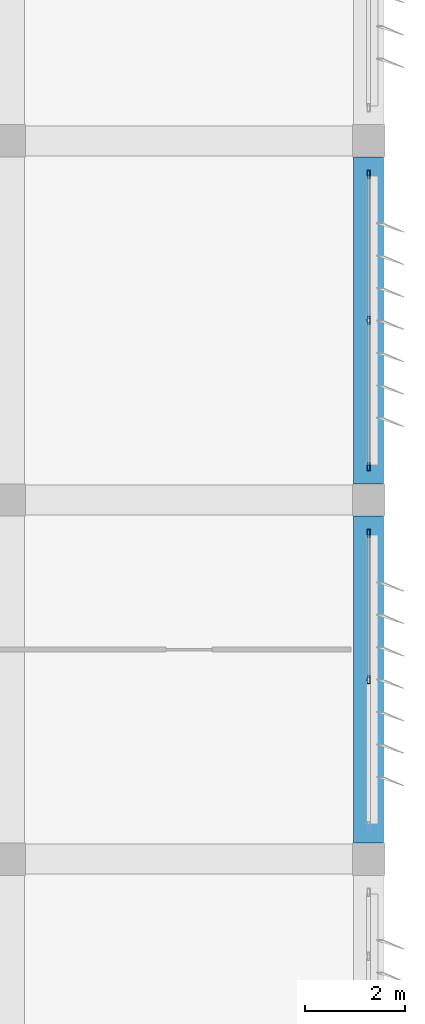
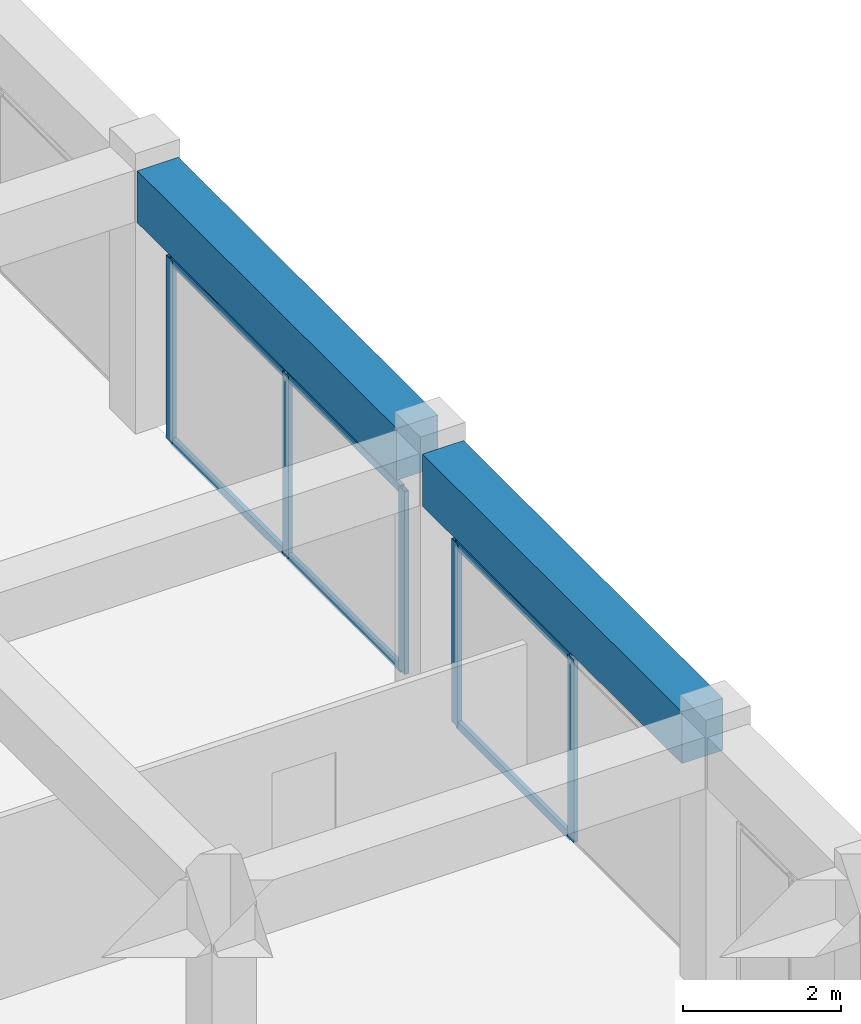
# One storey, part 29 of 53: 11 members, 2 beams, 2 elements without a shape of their own.
"""IFC4 building model written with IfcOpenShell, lengths in metres."""

from ifc_helpers import new_model, si_unit, direction, frame, origin, origin_2d, place, context, subcontext, project, spatial, rectangle, hollow_rectangle, extrude, material, material_profile, profile_set, type_object, element, aggregate, save


model = new_model("IFC4")

# Units and contexts
model_context = context("Model", 3, precision=1e-05, world=origin(), true_north=direction((0.0, 1.0)))
body_context = subcontext(model_context, "Body", "Model", "MODEL_VIEW")
ifc_project = project(units=[si_unit("LENGTHUNIT", "METRE"), si_unit("AREAUNIT", "SQUARE_METRE"), si_unit("VOLUMEUNIT", "CUBIC_METRE"), si_unit("PLANEANGLEUNIT", "RADIAN"), si_unit("MASSUNIT", "GRAM", prefix="KILO")], contexts=[model_context])

# Site, building, storey
site_placement = place(None, origin())
site = spatial("IfcSite", under=ifc_project, at=site_placement, CompositionType="ELEMENT")
building_placement = place(site_placement, origin())
building = spatial("IfcBuilding", under=site, at=building_placement, Name="Kazehaya Institute of Natural Sciences", CompositionType="ELEMENT")
storey_placement = place(building_placement, frame((0.0, 0.0, 33.300048828125)))
storey = spatial("IfcBuildingStorey", under=building, at=storey_placement, Name="L07", CompositionType="ELEMENT", Elevation=33.300048828125)

# Beams
ifc_material_1 = material(Name="Concrete Fc36", Category="concrete")
ifc_material_profile_1 = material_profile(ifc_material_1, rectangle(XDim=0.60009765625, YDim=0.800048828125, at=origin_2d()), Name="RC-600x800")
ifc_profile_set_1 = profile_set([ifc_material_profile_1], Name="Concrete Fc36")
beam_type = type_object("IfcBeamType", Name="BM-G-600x800", PredefinedType="BEAM", material=ifc_profile_set_1)
for number, where, z_axis, x_axis, name in (
    (1, (119.39990234375, 14.324951171875, 3.64990234375), (0.0, 1.0, 0.0), (-1.0, 0.0, 0.0), "L07 primary Y girder BMY-L07-1194-140"),
    (2, (119.39990234375, 21.52490234375, 3.64990234375), (0.0, 1.0, 0.0), (-1.0, 0.0, 0.0), "L07 primary Y girder BMY-L07-1194-212"),
):
    element("IfcBeam", number, at=place(storey_placement, frame(where, z_axis=z_axis, x_axis=x_axis)), inside=storey, type_object=beam_type, Name=name, PredefinedType="BEAM", context=body_context, shape_type="SweptSolid", body=[
        extrude(rectangle(XDim=0.60009765625, YDim=0.800048828125, at=origin_2d()), origin(), (0.0, 0.0, 1.0), 6.550048828125),
    ])

# Curtain wall, members
ifc_material_2 = material(Name="Aluminium alloy A6063S-T5", Category="aluminium")
curtain_wall_type = type_object("IfcCurtainWallType", Name="CW-SYS-10", PredefinedType="NOTDEFINED", material=ifc_material_2)
curtain_wall_1_placement = place(storey_placement, origin())
curtain_wall_1 = element("IfcCurtainWall", 3, at=curtain_wall_1_placement, inside=storey, type_object=curtain_wall_type, Name="L07 unitised curtain wall CW-L07-171", PredefinedType="NOTDEFINED")
ifc_material_profile_2 = material_profile(ifc_material_2, hollow_rectangle(XDim=0.06005859375, YDim=0.159912109375, WallThickness=0.00390625, at=origin_2d()), Name="ALU-60x160x4")
ifc_profile_set_2 = profile_set([ifc_material_profile_2], Name="Aluminium alloy A6063S-T5")
member_type_1 = type_object("IfcMemberType", Name="CWM-160", PredefinedType="MULLION", material=ifc_profile_set_2)
member_1_placement = place(storey_placement, frame((119.39990234375, 20.530029296875, 0.0), z_axis=(0.0, 0.0, 1.0), x_axis=(1.0, 0.0, 0.0)))
member_1 = element("IfcMember", 4, at=member_1_placement, type_object=member_type_1, Name="CW10 mullion 1", PredefinedType="MULLION", context=body_context, shape_type="SweptSolid", body=[
    extrude(hollow_rectangle(XDim=0.06005859375, YDim=0.159912109375, WallThickness=0.00390625, at=origin_2d()), origin(), (0.0, 0.0, 1.0), 2.820068359375),
])
member_2_placement = place(storey_placement, frame((119.39990234375, 17.60009765625, 0.0), z_axis=(0.0, 0.0, 1.0), x_axis=(1.0, 0.0, 0.0)))
member_2 = element("IfcMember", 5, at=member_2_placement, type_object=member_type_1, Name="CW10 mullion 2", PredefinedType="MULLION", context=body_context, shape_type="SweptSolid", body=[
    extrude(hollow_rectangle(XDim=0.06005859375, YDim=0.159912109375, WallThickness=0.00390625, at=origin_2d()), origin(), (0.0, 0.0, 1.0), 2.820068359375),
])

curtain_wall_2_placement = place(storey_placement, origin())
curtain_wall_2 = element("IfcCurtainWall", 6, at=curtain_wall_2_placement, inside=storey, type_object=curtain_wall_type, Name="L07 unitised curtain wall CW-L07-173", PredefinedType="NOTDEFINED")
member_3_placement = place(storey_placement, frame((119.39990234375, 27.72998046875, 0.0), z_axis=(0.0, 0.0, 1.0), x_axis=(1.0, 0.0, 0.0)))
member_3 = element("IfcMember", 7, at=member_3_placement, type_object=member_type_1, Name="CW10 mullion 1", PredefinedType="MULLION", context=body_context, shape_type="SweptSolid", body=[
    extrude(hollow_rectangle(XDim=0.06005859375, YDim=0.159912109375, WallThickness=0.00390625, at=origin_2d()), origin(), (0.0, 0.0, 1.0), 2.820068359375),
])
member_4_placement = place(storey_placement, frame((119.39990234375, 24.800048828125, 0.0), z_axis=(0.0, 0.0, 1.0), x_axis=(1.0, 0.0, 0.0)))
member_4 = element("IfcMember", 8, at=member_4_placement, type_object=member_type_1, Name="CW10 mullion 2", PredefinedType="MULLION", context=body_context, shape_type="SweptSolid", body=[
    extrude(hollow_rectangle(XDim=0.06005859375, YDim=0.159912109375, WallThickness=0.00390625, at=origin_2d()), origin(), (0.0, 0.0, 1.0), 2.820068359375),
])
member_5_placement = place(storey_placement, frame((119.39990234375, 21.8701171875, 0.0), z_axis=(0.0, 0.0, 1.0), x_axis=(1.0, 0.0, 0.0)))
member_5 = element("IfcMember", 9, at=member_5_placement, type_object=member_type_1, Name="CW10 mullion 3", PredefinedType="MULLION", context=body_context, shape_type="SweptSolid", body=[
    extrude(hollow_rectangle(XDim=0.06005859375, YDim=0.159912109375, WallThickness=0.00390625, at=origin_2d()), origin(), (0.0, 0.0, 1.0), 2.820068359375),
])

# Member
ifc_material_profile_3 = material_profile(ifc_material_2, hollow_rectangle(XDim=0.06005859375, YDim=0.1201171875, WallThickness=0.00341796875, at=origin_2d()), Name="ALU-60x120x3.5")
ifc_profile_set_3 = profile_set([ifc_material_profile_3], Name="Aluminium alloy A6063S-T5")
member_type_2 = type_object("IfcMemberType", Name="CWT-120", PredefinedType="USERDEFINED", material=ifc_profile_set_3)
member_6_placement = place(storey_placement, frame((119.39990234375, 20.5, 0.030029296875), z_axis=(0.0, -1.0, 0.0), x_axis=(1.0, 0.0, 0.0)))
member_6 = element("IfcMember", 10, at=member_6_placement, type_object=member_type_2, Name="CW10 transom 1.1", ObjectType="TRANSOM", PredefinedType="USERDEFINED", context=body_context, shape_type="SweptSolid", body=[
    extrude(hollow_rectangle(XDim=0.06005859375, YDim=0.1201171875, WallThickness=0.00341796875, at=origin_2d()), origin(), (0.0, 0.0, 1.0), 2.8701171875),
])

member_7_placement = place(storey_placement, frame((119.39990234375, 20.5, 2.7900390625), z_axis=(0.0, -1.0, 0.0), x_axis=(1.0, 0.0, 0.0)))
member_7 = element("IfcMember", 11, at=member_7_placement, type_object=member_type_2, Name="CW10 transom 1.2", ObjectType="TRANSOM", PredefinedType="USERDEFINED", context=body_context, shape_type="SweptSolid", body=[
    extrude(hollow_rectangle(XDim=0.06005859375, YDim=0.1201171875, WallThickness=0.00341796875, at=origin_2d()), origin(), (0.0, 0.0, 1.0), 2.8701171875),
])

aggregate(curtain_wall_1, [member_1, member_2, member_6, member_7])

member_8_placement = place(storey_placement, frame((119.39990234375, 27.699951171875, 0.030029296875), z_axis=(0.0, -1.0, 0.0), x_axis=(1.0, 0.0, 0.0)))
member_8 = element("IfcMember", 12, at=member_8_placement, type_object=member_type_2, Name="CW10 transom 1.1", ObjectType="TRANSOM", PredefinedType="USERDEFINED", context=body_context, shape_type="SweptSolid", body=[
    extrude(hollow_rectangle(XDim=0.06005859375, YDim=0.1201171875, WallThickness=0.00341796875, at=origin_2d()), origin(), (0.0, 0.0, 1.0), 2.869873046875),
])

member_9_placement = place(storey_placement, frame((119.39990234375, 27.699951171875, 2.7900390625), z_axis=(0.0, -1.0, 0.0), x_axis=(1.0, 0.0, 0.0)))
member_9 = element("IfcMember", 13, at=member_9_placement, type_object=member_type_2, Name="CW10 transom 1.2", ObjectType="TRANSOM", PredefinedType="USERDEFINED", context=body_context, shape_type="SweptSolid", body=[
    extrude(hollow_rectangle(XDim=0.06005859375, YDim=0.1201171875, WallThickness=0.00341796875, at=origin_2d()), origin(), (0.0, 0.0, 1.0), 2.869873046875),
])

member_10_placement = place(storey_placement, frame((119.39990234375, 24.77001953125, 0.030029296875), z_axis=(0.0, -1.0, 0.0), x_axis=(1.0, 0.0, 0.0)))
member_10 = element("IfcMember", 14, at=member_10_placement, type_object=member_type_2, Name="CW10 transom 2.1", ObjectType="TRANSOM", PredefinedType="USERDEFINED", context=body_context, shape_type="SweptSolid", body=[
    extrude(hollow_rectangle(XDim=0.06005859375, YDim=0.1201171875, WallThickness=0.00341796875, at=origin_2d()), origin(), (0.0, 0.0, 1.0), 2.8701171875),
])

member_11_placement = place(storey_placement, frame((119.39990234375, 24.77001953125, 2.7900390625), z_axis=(0.0, -1.0, 0.0), x_axis=(1.0, 0.0, 0.0)))
member_11 = element("IfcMember", 15, at=member_11_placement, type_object=member_type_2, Name="CW10 transom 2.2", ObjectType="TRANSOM", PredefinedType="USERDEFINED", context=body_context, shape_type="SweptSolid", body=[
    extrude(hollow_rectangle(XDim=0.06005859375, YDim=0.1201171875, WallThickness=0.00341796875, at=origin_2d()), origin(), (0.0, 0.0, 1.0), 2.8701171875),
])

aggregate(curtain_wall_2, [member_3, member_4, member_5, member_8, member_9, member_10, member_11])

save(model, "model.ifc")
